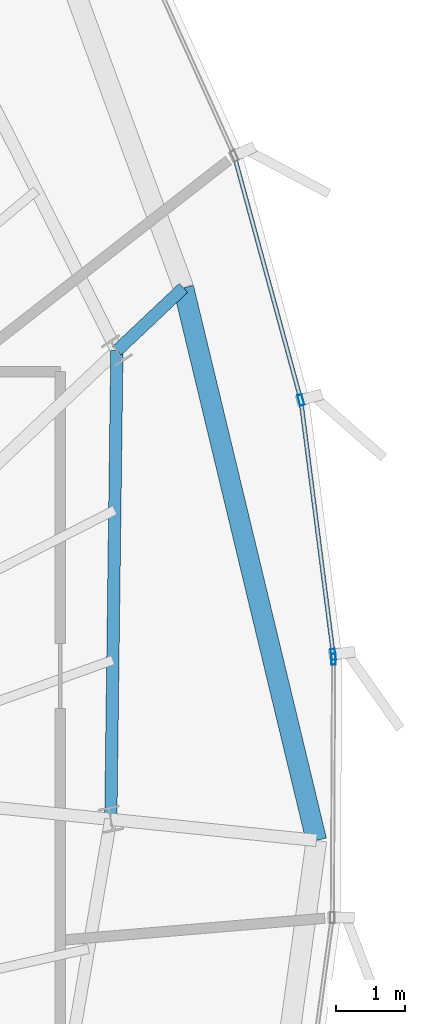
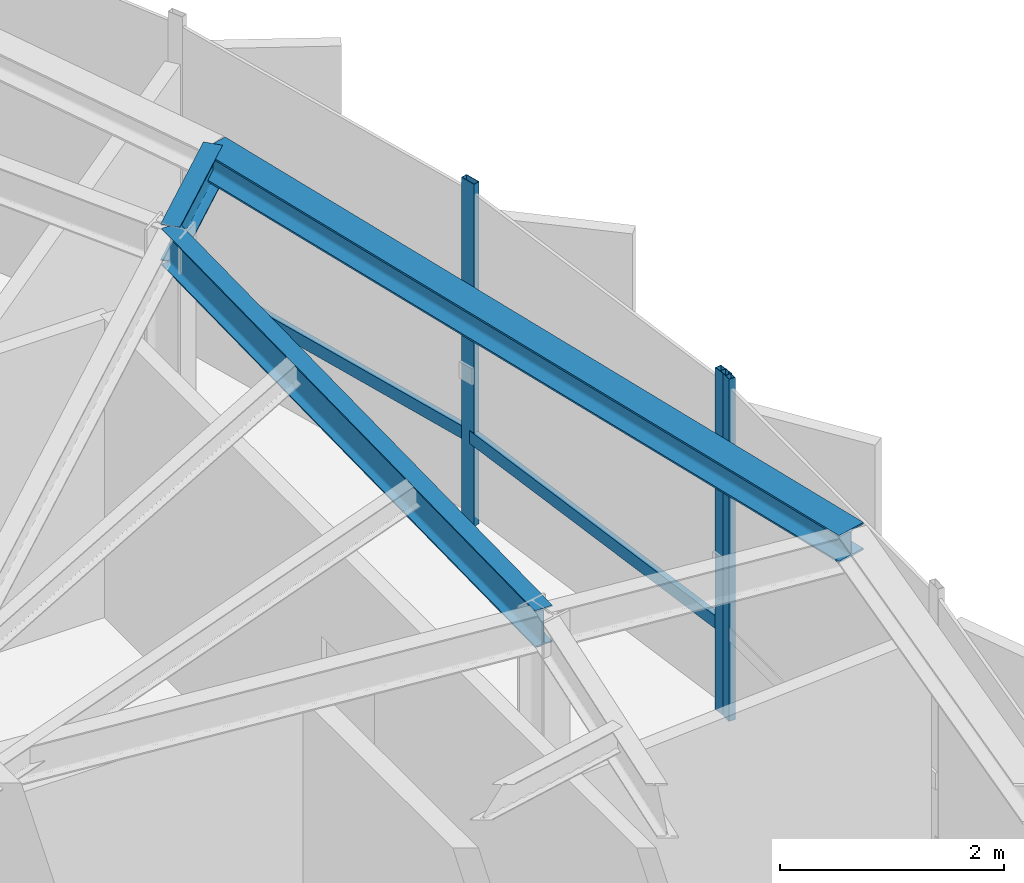
# One storey, part 13 of 26: 5 members, 3 beams, 2 elements without a shape of their own.
"""IFC4 building model written with IfcOpenShell, lengths in metres."""

import ifcopenshell
import ifcopenshell.guid

model = None  # the IFC model being written
_history = None  # IfcOwnerHistory: only IFC2X3 demands one
_inside = {}  # id of a spatial element -> (the spatial element, [elements in it])
_under = {}  # id of a project, library or spatial element -> (it, [spatial elements below it])
_declared = {}  # id of a project -> (the project, [libraries it declares])
_typed = {}  # id of a type object -> (the type object, [elements of that type])
_made_of = {}  # id of a material, layer set ... -> (it, [elements and type objects made of it])


def new_model(schema):
    """Start an empty IFC model of exactly this schema.

    Asked for "IFC4X3", IfcOpenShell would pick the latest addendum, in which some entities
    have other attributes; the version numbers below select the first issue.
    IFC2X3 requires an IfcOwnerHistory on every rooted entity: one is made here for all.
    """
    global model, _history
    if schema == "IFC4X3":
        model = ifcopenshell.file(schema_version=(4, 3, 0, 0))
    else:
        model = ifcopenshell.file(schema=schema)
    _inside.clear()
    _under.clear()
    _declared.clear()
    _typed.clear()
    _made_of.clear()
    _history = None
    if model.schema == "IFC2X3":
        org = make("IfcOrganization", Name="unknown")
        user = make(
            "IfcPersonAndOrganization",
            ThePerson=make("IfcPerson", FamilyName="unknown"),
            TheOrganization=org,
        )
        app = make(
            "IfcApplication",
            ApplicationDeveloper=org,
            Version="unknown",
            ApplicationFullName="unknown",
            ApplicationIdentifier="unknown",
        )
        _history = make(
            "IfcOwnerHistory",
            OwningUser=user,
            OwningApplication=app,
            ChangeAction="ADDED",
            CreationDate=0,
        )
    return model


def make(cls, **values):
    """One entity of the class cls with the attributes given. An attribute that is None is left unset."""
    return model.create_entity(
        cls, **{name: value for name, value in values.items() if value is not None}
    )


def rooted(cls, **values):
    """An entity with a GlobalId (a new one), such as an element, a storey or a relation."""
    return make(cls, GlobalId=ifcopenshell.guid.new(), OwnerHistory=_history, **values)


def si_unit(unit_type, name, prefix=None):
    """IfcSIUnit, for example si_unit("LENGTHUNIT", "METRE", prefix="MILLI")."""
    return make("IfcSIUnit", UnitType=unit_type, Prefix=prefix, Name=name)


def assignment(units):
    """IfcUnitAssignment: the units of a project."""
    return None if units is None else make("IfcUnitAssignment", Units=units)


def point(xyz):
    """IfcCartesianPoint."""
    return None if xyz is None else make("IfcCartesianPoint", Coordinates=xyz)


def direction(xyz):
    """IfcDirection."""
    return None if xyz is None else make("IfcDirection", DirectionRatios=xyz)


def frame(location, z_axis=None, x_axis=None):
    """IfcAxis2Placement3D, a coordinate frame: its origin and axes. An axis left out is left unset."""
    return make(
        "IfcAxis2Placement3D",
        Location=point(location),
        Axis=direction(z_axis),
        RefDirection=direction(x_axis),
    )


def frame_2d(location, x_axis=None):
    """IfcAxis2Placement2D, a coordinate frame in the plane: its origin and x axis."""
    return make(
        "IfcAxis2Placement2D", Location=point(location), RefDirection=direction(x_axis)
    )


def origin():
    """The frame at (0, 0, 0) with its axes left unset."""
    return frame((0.0, 0.0, 0.0))


def origin_2d():
    """The frame at (0, 0) in the plane with its x axis left unset."""
    return frame_2d((0.0, 0.0))


def place(relative_to, where):
    """IfcLocalPlacement: puts the frame where relative to a parent placement (None: the world)."""
    return make(
        "IfcLocalPlacement", PlacementRelTo=relative_to, RelativePlacement=where
    )


def context(
    kind, dimensions, precision=None, world=None, true_north=None, identifier=None
):
    """IfcGeometricRepresentationContext, for example the 3D "Model" context."""
    return make(
        "IfcGeometricRepresentationContext",
        ContextIdentifier=identifier,
        ContextType=kind,
        CoordinateSpaceDimension=dimensions,
        Precision=precision,
        WorldCoordinateSystem=world,
        TrueNorth=true_north,
    )


def subcontext(parent, identifier, kind, view, scale=None):
    """IfcGeometricRepresentationSubContext, for example "Body" below "Model"."""
    return make(
        "IfcGeometricRepresentationSubContext",
        ContextIdentifier=identifier,
        ContextType=kind,
        ParentContext=parent,
        TargetScale=scale,
        TargetView=view,
    )


def project(units=None, contexts=None):
    """IfcProject with its units and contexts."""
    return rooted(
        "IfcProject",
        Name="project",
        RepresentationContexts=contexts,
        UnitsInContext=assignment(units),
    )


def spatial(cls, under=None, at=None, **own):
    """A site, building, storey or space (cls), placed at a placement, below another one or the project."""
    s = rooted(cls, ObjectPlacement=at, **own)
    if under is not None:
        _under.setdefault(under.id(), (under, []))[1].append(s)
    return s


def profile(cls, at=None, kind="AREA", **sizes):
    """A parametric profile (cls). Its sizes go by their IFC names, for example OverallWidth=200.0."""
    return make(cls, ProfileType=kind, Position=at, **sizes)


def hollow_rectangle(**sizes):
    """IfcRectangleHollowProfileDef."""
    return profile("IfcRectangleHollowProfileDef", **sizes)


def i_section(**sizes):
    """IfcIShapeProfileDef."""
    return profile("IfcIShapeProfileDef", **sizes)


def extrude(swept, where, along, depth):
    """IfcExtrudedAreaSolid: the profile swept, set in the frame where, extruded along a direction by depth."""
    return make(
        "IfcExtrudedAreaSolid",
        SweptArea=swept,
        Position=where,
        ExtrudedDirection=direction(along),
        Depth=depth,
    )


def shape(context_of_items, identifier, shape_type, items):
    """IfcShapeRepresentation: the items that make up one representation, for example the "Body"."""
    return make(
        "IfcShapeRepresentation",
        ContextOfItems=context_of_items,
        RepresentationIdentifier=identifier,
        RepresentationType=shape_type,
        Items=items,
    )


def source(mapping_origin, context_of_items, identifier, shape_type, items):
    """IfcRepresentationMap: a shape defined once, which mapped items show again and again."""
    return make(
        "IfcRepresentationMap",
        MappingOrigin=mapping_origin,
        MappedRepresentation=shape(context_of_items, identifier, shape_type, items),
    )


def transform(
    local_origin,
    x_axis=None,
    y_axis=None,
    z_axis=None,
    scale=None,
    scale2=None,
    scale3=None,
    uniform=True,
):
    """IfcCartesianTransformationOperator3D, or its non-uniform kind. x_axis, y_axis, z_axis: its Axis1, 2, 3."""
    if uniform:
        return make(
            "IfcCartesianTransformationOperator3D",
            Axis1=direction(x_axis),
            Axis2=direction(y_axis),
            LocalOrigin=point(local_origin),
            Scale=scale,
            Axis3=direction(z_axis),
        )
    return make(
        "IfcCartesianTransformationOperator3DnonUniform",
        Axis1=direction(x_axis),
        Axis2=direction(y_axis),
        LocalOrigin=point(local_origin),
        Scale=scale,
        Axis3=direction(z_axis),
        Scale2=scale2,
        Scale3=scale3,
    )


def mapped(mapping_source, mapping_target):
    """IfcMappedItem: shows the shape of a source again, moved by a transform."""
    return make(
        "IfcMappedItem", MappingSource=mapping_source, MappingTarget=mapping_target
    )


def material(Name=None, Category=None):
    """IfcMaterial."""
    return make("IfcMaterial", Name=Name, Category=Category)


def layer(
    of_material, thickness, ventilated=None, Name=None, Category=None, Priority=None
):
    """IfcMaterialLayer: one layer of a wall or slab, of a material (None: an air gap)."""
    return make(
        "IfcMaterialLayer",
        Material=of_material,
        LayerThickness=thickness,
        IsVentilated=ventilated,
        Name=Name,
        Category=Category,
        Priority=Priority,
    )


def layer_set(layers, Name=None):
    """IfcMaterialLayerSet."""
    return make("IfcMaterialLayerSet", MaterialLayers=layers, LayerSetName=Name)


def material_profile(
    of_material, cross_section, Name=None, Category=None, Priority=None
):
    """IfcMaterialProfile: a cross section and its material."""
    return make(
        "IfcMaterialProfile",
        Name=Name,
        Material=of_material,
        Profile=cross_section,
        Priority=Priority,
        Category=Category,
    )


def profile_set(profiles, Name=None, composite=None):
    """IfcMaterialProfileSet."""
    return make(
        "IfcMaterialProfileSet",
        Name=Name,
        MaterialProfiles=profiles,
        CompositeProfile=composite,
    )


def made_of(thing, what):
    """Note that an element or type object is made of a material, layer set ...; save() writes the relation."""
    if what is not None:
        _made_of.setdefault(what.id(), (what, []))[1].append(thing)
    return thing


def type_object(cls, material=None, **own):
    """A type object (cls), such as IfcWallType, which elements share."""
    return made_of(rooted(cls, **own), material)


def element(
    cls,
    number,
    at=None,
    inside=None,
    cuts=None,
    type_object=None,
    material=None,
    context=None,
    identifier="Body",
    shape_type=None,
    held_by="IfcProductDefinitionShape",
    body=None,
    shapes=None,
    **own,
):
    """One element of the class cls, such as IfcWall. Its Tag is "e" and its number.

    at: its placement. inside: the storey or other place that contains it. cuts: it is an
    opening in that element (IfcRelVoidsElement). A single representation is given by context,
    identifier, shape_type and body (its items); several are given by shapes. held_by: the class
    of the entity that holds the representations. save() writes the other relations.
    """
    e = rooted(cls, Tag="e%d" % number, ObjectPlacement=at, **own)
    if body is not None:
        shapes = [shape(context, identifier, shape_type, body)]
    if shapes is not None:
        e.Representation = make(held_by, Representations=shapes)
    if inside is not None:
        _inside.setdefault(inside.id(), (inside, []))[1].append(e)
    if cuts is not None:
        rooted(
            "IfcRelVoidsElement", RelatingBuildingElement=cuts, RelatedOpeningElement=e
        )
    if type_object is not None:
        _typed.setdefault(type_object.id(), (type_object, []))[1].append(e)
    return made_of(e, material)


def aggregate(whole, parts):
    """IfcRelAggregates: a whole, such as a stair, and the parts it consists of."""
    return rooted("IfcRelAggregates", RelatingObject=whole, RelatedObjects=parts)


def save(model, path):
    """Write the relations noted so far, then the file.

    IfcRelAggregates (storeys below a building ...), IfcRelContainedInSpatialStructure (elements
    in a storey), IfcRelDefinesByType, IfcRelAssociatesMaterial and IfcRelDeclares: one each for
    every whole, place, type object, material and project.
    """
    for whole, parts in _under.values():
        aggregate(whole, parts)
    for where, things in _inside.values():
        rooted(
            "IfcRelContainedInSpatialStructure",
            RelatedElements=things,
            RelatingStructure=where,
        )
    for kind, things in _typed.values():
        rooted("IfcRelDefinesByType", RelatedObjects=things, RelatingType=kind)
    for what, things in _made_of.values():
        rooted("IfcRelAssociatesMaterial", RelatedObjects=things, RelatingMaterial=what)
    for by, libraries in _declared.values():
        rooted("IfcRelDeclares", RelatingContext=by, RelatedDefinitions=libraries)
    model.write(path)


model = new_model("IFC4")

# Units and contexts
model_context = context("Model", 3, precision=1e-05, world=origin(), true_north=direction((0.0, 1.0)))
body_context = subcontext(model_context, "Body", "Model", "MODEL_VIEW")
ifc_project = project(units=[si_unit("LENGTHUNIT", "METRE"), si_unit("AREAUNIT", "SQUARE_METRE"), si_unit("VOLUMEUNIT", "CUBIC_METRE"), si_unit("PLANEANGLEUNIT", "RADIAN"), si_unit("MASSUNIT", "GRAM", prefix="KILO"), si_unit("THERMODYNAMICTEMPERATUREUNIT", "KELVIN")], contexts=[model_context])

# Site, building, storey
site_placement = place(None, origin())
site = spatial("IfcSite", under=ifc_project, at=site_placement, CompositionType="ELEMENT")
building_placement = place(site_placement, origin())
building = spatial("IfcBuilding", under=site, at=building_placement, Name="Kethvar Cultural Tower", CompositionType="ELEMENT")
storey_placement = place(building_placement, frame((0.0, 0.0, 316.300048828125)))
storey = spatial("IfcBuildingStorey", under=building, at=storey_placement, Name="L84", CompositionType="ELEMENT", Elevation=316.300048828125)

# Beams
ifc_material_1 = material(Name="Steel S355J2", Category="steel")
ifc_material_profile_1 = material_profile(ifc_material_1, i_section(OverallWidth=0.179931640625, OverallDepth=0.39990234375, WebThickness=0.008544921875, FlangeThickness=0.013427734375, FilletRadius=0.02099609375, at=origin_2d()), Name="Steel S355J2 — IPE400")
ifc_profile_set_1 = profile_set([ifc_material_profile_1], Name="Steel S355J2 — IPE400")
beam_type_1 = type_object("IfcBeamType", Name="BM-IPE400", PredefinedType="BEAM", material=ifc_profile_set_1)
shared_shape_1 = source(origin(), body_context, "Body", "SweptSolid", [
    extrude(i_section(OverallWidth=0.179931640625, OverallDepth=0.39990234375, WebThickness=0.008544921875, FlangeThickness=0.013427734375, FilletRadius=0.02099609375, at=origin_2d()), origin(), (0.0, 0.0, 1.0), 6.834716796875),
])
beam_1_placement = place(storey_placement, frame((61.237060546875, 30.671630859375, 3.532958984375), z_axis=(0.012966437445, 0.999915932216, 0.0), x_axis=(-0.999915932216, 0.012966437445, 0.0)))
element("IfcBeam", 1, at=beam_1_placement, inside=storey, type_object=beam_type_1, Name="L84 Column Ring Tie Beam CR-01", PredefinedType="BEAM", context=body_context, shape_type="MappedRepresentation", body=[
    mapped(shared_shape_1, transform((0.0, 0.0, 0.0), scale=1.0)),
])
shared_shape_2 = source(origin(), body_context, "Body", "SweptSolid", [
    extrude(i_section(OverallWidth=0.179931640625, OverallDepth=0.39990234375, WebThickness=0.008544921875, FlangeThickness=0.013427734375, FilletRadius=0.02099609375, at=origin_2d()), origin(), (0.0, 0.0, 1.0), 1.3359375),
])
beam_2_placement = place(storey_placement, frame((61.32568359375, 37.505859375, 3.532958984375), z_axis=(0.727190518952, 0.68643568464, 0.0), x_axis=(-0.68643568464, 0.727190518952, 0.0)))
element("IfcBeam", 2, at=beam_2_placement, inside=storey, type_object=beam_type_1, Name="L84 Perimeter Cantilever Beam RC-02", PredefinedType="BEAM", context=body_context, shape_type="MappedRepresentation", body=[
    mapped(shared_shape_2, transform((0.0, 0.0, 0.0), scale=1.0)),
])
ifc_material_profile_2 = material_profile(ifc_material_1, i_section(OverallWidth=0.300048828125, OverallDepth=0.300048828125, WebThickness=0.010986328125, FlangeThickness=0.01904296875, FilletRadius=0.027099609375, at=origin_2d()), Name="Steel S355J2 — HEB300")
ifc_profile_set_2 = profile_set([ifc_material_profile_2], Name="Steel S355J2 — HEB300")
beam_type_2 = type_object("IfcBeamType", Name="BM-SP300", PredefinedType="SPANDREL", material=ifc_profile_set_2)
shared_shape_3 = source(origin(), body_context, "Body", "SweptSolid", [
    extrude(i_section(OverallWidth=0.300048828125, OverallDepth=0.300048828125, WebThickness=0.010986328125, FlangeThickness=0.01904296875, FilletRadius=0.027099609375, at=origin_2d()), origin(), (0.0, 0.0, 1.0), 8.288818359375),
])
beam_3_placement = place(storey_placement, frame((64.235595703125, 30.364013671875, 3.5830078125), z_axis=(-0.233869773964, 0.972267930576, 0.0), x_axis=(-0.972267930576, -0.233869773964, 0.0)))
element("IfcBeam", 3, at=beam_3_placement, inside=storey, type_object=beam_type_2, Name="L84 Perimeter Spandrel Beam SP-01", PredefinedType="SPANDREL", context=body_context, shape_type="MappedRepresentation", body=[
    mapped(shared_shape_3, transform((0.0, 0.0, 0.0), scale=1.0)),
])

# Curtain wall, member
ifc_material_2 = material(Name="Aluminium 6063-T6", Category="aluminium")
ifc_layer = layer(ifc_material_2, 0.179931640625, Name="Aluminium 6063-T6", Category="aluminium")
ifc_layer_set = layer_set([ifc_layer], Name="Aluminium 6063-T6 (180 mm)")
curtain_wall_type = type_object("IfcCurtainWallType", Name="CW-SYS-06-CROWN", PredefinedType="NOTDEFINED", material=ifc_layer_set)
curtain_wall_1_placement = place(storey_placement, origin())
curtain_wall_1 = element("IfcCurtainWall", 4, at=curtain_wall_1_placement, inside=storey, type_object=curtain_wall_type, Name="L84 Curtain Wall Run 05", PredefinedType="NOTDEFINED")
ifc_material_profile_3 = material_profile(ifc_material_2, hollow_rectangle(XDim=0.06494140625, YDim=0.159912109375, WallThickness=0.0048828125, at=origin_2d()), Name="Aluminium 6063-T6 — RHS160x65x5")
ifc_profile_set_3 = profile_set([ifc_material_profile_3], Name="Aluminium 6063-T6 — RHS160x65x5")
member_type_1 = type_object("IfcMemberType", Name="CW-SYS-06-CROWN-MUL", PredefinedType="MULLION", material=ifc_profile_set_3)
shared_shape_4 = source(origin(), body_context, "Body", "SweptSolid", [
    extrude(hollow_rectangle(XDim=0.06494140625, YDim=0.159912109375, WallThickness=0.0048828125, at=origin_2d()), origin(), (0.0, 0.0, 1.0), 3.73486328125),
])
member_1_placement = place(storey_placement, frame((64.486083984375, 33.008056640625, 0.0), z_axis=(0.0, 0.0, 1.0), x_axis=(-0.999988313528, 0.004834543195, 0.0)))
member_1 = element("IfcMember", 5, at=member_1_placement, type_object=member_type_1, Name="CW-L84-R05 Mullion 7", PredefinedType="MULLION", context=body_context, shape_type="MappedRepresentation", body=[
    mapped(shared_shape_4, transform((0.0, 0.0, 0.0), scale=1.0)),
])
aggregate(curtain_wall_1, [member_1])

# Curtain wall, members
curtain_wall_2_placement = place(storey_placement, origin())
curtain_wall_2 = element("IfcCurtainWall", 6, at=curtain_wall_2_placement, inside=storey, type_object=curtain_wall_type, Name="L84 Curtain Wall Run 06", PredefinedType="NOTDEFINED")
member_2_placement = place(storey_placement, frame((64.48193359375, 33.076416015625, 0.0), z_axis=(0.0, 0.0, 1.0), x_axis=(-0.991958628712, -0.126562549455, 0.0)))
member_2 = element("IfcMember", 7, at=member_2_placement, type_object=member_type_1, Name="CW-L84-R06 Mullion 1", PredefinedType="MULLION", context=body_context, shape_type="MappedRepresentation", body=[
    mapped(shared_shape_4, transform((0.0, 0.0, 0.0), scale=1.0)),
])
member_3_placement = place(storey_placement, frame((64.009765625, 36.78662109375, 0.0), z_axis=(0.0, 0.0, 1.0), x_axis=(-0.964759773974, -0.263132245308, 0.0)))
member_3 = element("IfcMember", 8, at=member_3_placement, type_object=member_type_1, Name="CW-L84-R06 Mullion 2", PredefinedType="MULLION", context=body_context, shape_type="MappedRepresentation", body=[
    mapped(shared_shape_4, transform((0.0, 0.0, 0.0), scale=1.0)),
])
ifc_material_profile_4 = material_profile(ifc_material_2, hollow_rectangle(XDim=0.06005859375, YDim=0.139892578125, WallThickness=0.0048828125, at=origin_2d()), Name="Aluminium 6063-T6 — RHS140x60x5")
ifc_profile_set_4 = profile_set([ifc_material_profile_4], Name="Aluminium 6063-T6 — RHS140x60x5")
member_type_2 = type_object("IfcMemberType", Name="CW-SYS-06-CROWN-TRN", PredefinedType="USERDEFINED", material=ifc_profile_set_4)
shared_shape_5 = source(origin(), body_context, "Body", "SweptSolid", [
    extrude(hollow_rectangle(XDim=0.06005859375, YDim=0.139892578125, WallThickness=0.0048828125, at=origin_2d()), origin(), (0.0, 0.0, 1.0), 3.705322265625),
])
member_4_placement = place(storey_placement, frame((64.481201171875, 33.0810546875, 0.949951171875), z_axis=(-0.126507737722, 0.991965620521, 0.0), x_axis=(-0.991965620521, -0.126507737722, 0.0)))
member_4 = element("IfcMember", 9, at=member_4_placement, type_object=member_type_2, Name="CW-L84-R06 Transom 1", ObjectType="TRANSOM", PredefinedType="USERDEFINED", context=body_context, shape_type="MappedRepresentation", body=[
    mapped(shared_shape_5, transform((0.0, 0.0, 0.0), scale=1.0)),
])
shared_shape_6 = source(origin(), body_context, "Body", "SweptSolid", [
    extrude(hollow_rectangle(XDim=0.06005859375, YDim=0.139892578125, WallThickness=0.0048828125, at=origin_2d()), origin(), (0.0, 0.0, 1.0), 3.616943359375),
])
member_5_placement = place(storey_placement, frame((63.997314453125, 36.831787109375, 0.949951171875), z_axis=(-0.263111694321, 0.964765378894, 0.0), x_axis=(-0.964765378894, -0.263111694321, 0.0)))
member_5 = element("IfcMember", 10, at=member_5_placement, type_object=member_type_2, Name="CW-L84-R06 Transom 2", ObjectType="TRANSOM", PredefinedType="USERDEFINED", context=body_context, shape_type="MappedRepresentation", body=[
    mapped(shared_shape_6, transform((0.0, 0.0, 0.0), scale=1.0)),
])
aggregate(curtain_wall_2, [member_2, member_3, member_4, member_5])

save(model, "model.ifc")
